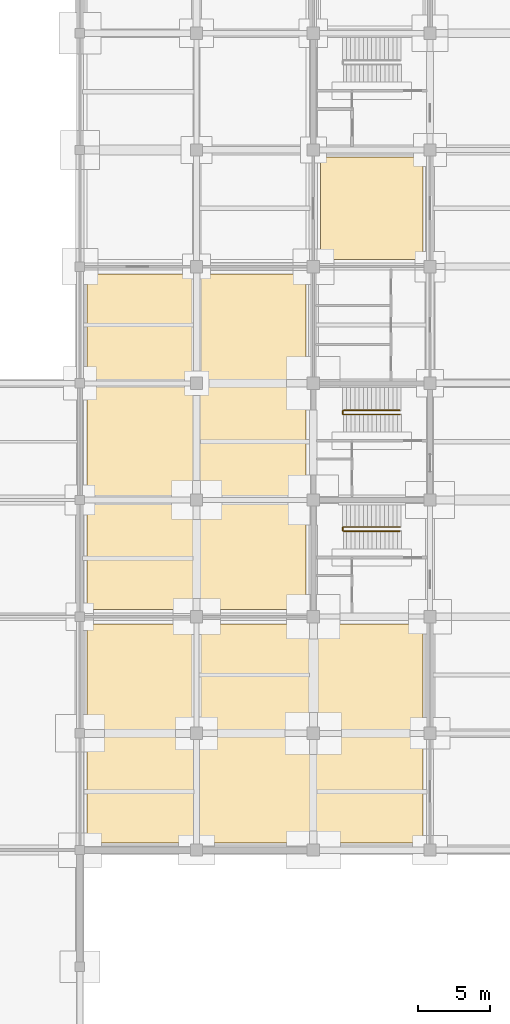
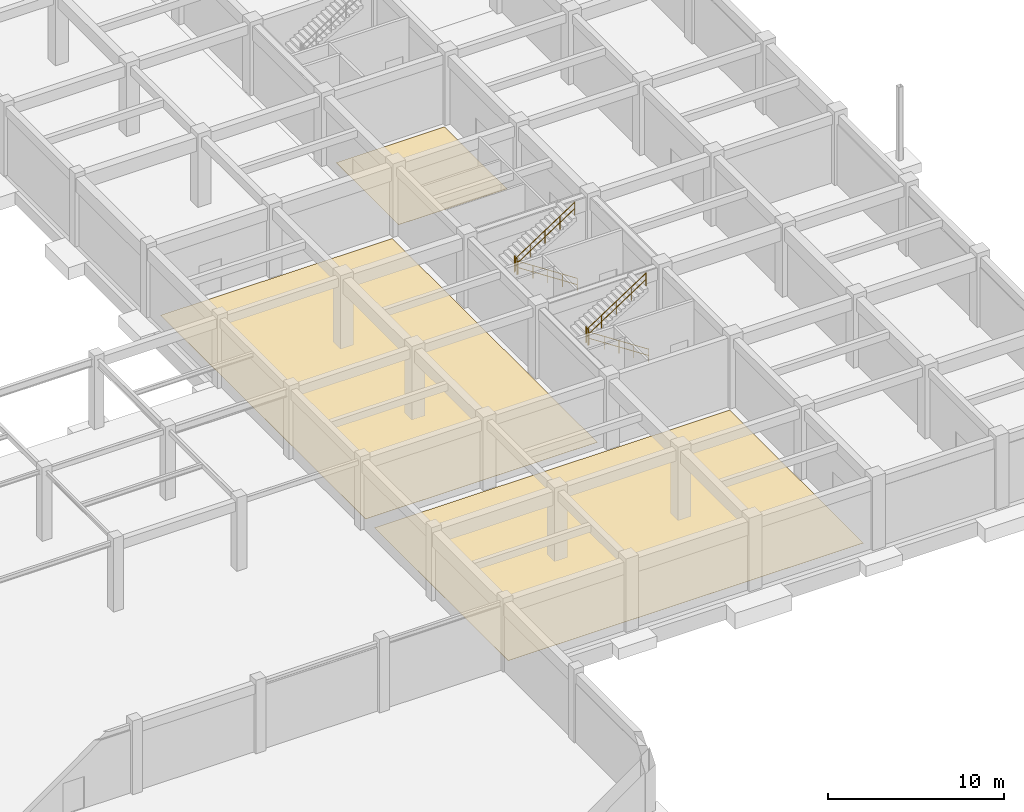
# One storey, part 64 of 67: 6 railings, 3 coverings.
"""IFC4 building model written with IfcOpenShell, lengths in metres."""

from ifc_helpers import new_model, si_unit, direction, frame, origin, origin_2d, place, context, subcontext, project, spatial, polyline, circle, outline, extrude, material, layer, layer_set, type_object, element, save


model = new_model("IFC4")

# Units and contexts
model_context = context("Model", 3, precision=1e-05, world=origin(), true_north=direction((0.0, 1.0)))
body_context = subcontext(model_context, "Body", "Model", "MODEL_VIEW")
ifc_project = project(units=[si_unit("LENGTHUNIT", "METRE"), si_unit("AREAUNIT", "SQUARE_METRE"), si_unit("VOLUMEUNIT", "CUBIC_METRE"), si_unit("PLANEANGLEUNIT", "RADIAN"), si_unit("MASSUNIT", "GRAM", prefix="KILO")], contexts=[model_context])

# Site, building, storey
site_placement = place(None, origin())
site = spatial("IfcSite", under=ifc_project, at=site_placement, CompositionType="ELEMENT")
building_placement = place(site_placement, origin())
building = spatial("IfcBuilding", under=site, at=building_placement, Name="Vaudrelin Polytechnic", CompositionType="ELEMENT")
storey_placement = place(building_placement, frame((0.0, 0.0, -5.10009765625)))
storey = spatial("IfcBuildingStorey", under=building, at=storey_placement, Name="B1", CompositionType="ELEMENT", Elevation=-5.10009765625)

# Coverings
ifc_material_1 = material(Name="Seamless chemical-resistant laboratory epoxy", Category="flooring")
ifc_layer = layer(ifc_material_1, 0.011962890625)
ifc_layer_set = layer_set([ifc_layer], Name="Seamless chemical-resistant laboratory epoxy")
covering_type = type_object("IfcCoveringType", Name="COV-FLR-EPX", PredefinedType="FLOORING", material=ifc_layer_set)
covering_1_placement = place(storey_placement, origin())
element("IfcCovering", 1, at=covering_1_placement, inside=storey, type_object=covering_type, Name="Chemical-resistant flooring B1-019", PredefinedType="FLOORING", context=body_context, shape_type="SweptSolid", body=[
    extrude(outline(polyline([(130.10009765625, 16.699951171875), (153.39990234375, 16.699951171875), (153.39990234375, 31.89990234375), (130.10009765625, 31.89990234375), (130.10009765625, 16.699951171875)])), origin(), (0.0, 0.0, 1.0), 0.01220703125),
])
covering_2_placement = place(storey_placement, origin())
element("IfcCovering", 2, at=covering_2_placement, inside=storey, type_object=covering_type, Name="Chemical-resistant flooring B1-020", PredefinedType="FLOORING", context=body_context, shape_type="SweptSolid", body=[
    extrude(outline(polyline([(130.10009765625, 32.89990234375), (145.300048828125, 32.89990234375), (145.300048828125, 56.199951171875), (130.10009765625, 56.199951171875), (130.10009765625, 32.89990234375)])), origin(), (0.0, 0.0, 1.0), 0.01220703125),
])
covering_3_placement = place(storey_placement, origin())
element("IfcCovering", 3, at=covering_3_placement, inside=storey, type_object=covering_type, Name="Chemical-resistant flooring B1-037", PredefinedType="FLOORING", context=body_context, shape_type="SweptSolid", body=[
    extrude(outline(polyline([(146.300048828125, 57.199951171875), (153.39990234375, 57.199951171875), (153.39990234375, 64.300048828125), (146.300048828125, 64.300048828125), (146.300048828125, 57.199951171875)])), origin(), (0.0, 0.0, 1.0), 0.01220703125),
])

# Railings
ifc_material_2 = material(Name="Brushed stainless steel AISI 304", Category="steel")
railing_type_1 = type_object("IfcRailingType", Name="RAL-GR-INT", PredefinedType="GUARDRAIL", material=ifc_material_2)
for number, where, name in (
    (4, (147.85009765625, 38.340087890625, 2.550048828125), "ST-08-B1 landing well guardrail"),
    (5, (147.85009765625, 46.43994140625, 2.550048828125), "ST-12-B1 landing well guardrail"),
):
    element("IfcRailing", number, at=place(storey_placement, frame(where)), inside=storey, type_object=railing_type_1, Name=name, PredefinedType="GUARDRAIL", context=body_context, shape_type="SweptSolid", body=[
        extrude(circle(Radius=0.02392578125, at=origin_2d()), frame((0.0, 0.023193359375, 1.09619140625), z_axis=(0.0, 1.0, 0.0), x_axis=(-1.0, 0.0, 0.0)), (0.0, 0.0, 1.0), 0.23388671875),
        extrude(circle(Radius=0.02392578125, at=origin_2d()), frame((0.0, 0.023193359375, 0.56005859375), z_axis=(0.0, 1.0, 0.0), x_axis=(-1.0, 0.0, 0.0)), (0.0, 0.0, 1.0), 0.23388671875),
        extrude(circle(Radius=0.02099609375, at=origin_2d()), origin(), (0.0, 0.0, 1.0), 1.1201171875),
        extrude(circle(Radius=0.02099609375, at=origin_2d()), frame((0.0, 0.280029296875, 0.0)), (0.0, 0.0, 1.0), 1.1201171875),
    ])
railing_type_2 = type_object("IfcRailingType", Name="RAL-HR-STR", PredefinedType="HANDRAIL", material=ifc_material_2)
railing_1_placement = place(storey_placement, frame((151.800048828125, 38.330078125, 0.0)))
element("IfcRailing", 6, at=railing_1_placement, inside=storey, type_object=railing_type_2, Name="ST-08-B1 flight 1 handrail", PredefinedType="HANDRAIL", context=body_context, shape_type="SweptSolid", body=[
    extrude(circle(Radius=0.02392578125, at=origin_2d()), frame((-0.019287109375, 0.0, 0.908447265625), z_axis=(-0.836329188974, 0.0, 0.548227587476), x_axis=(0.0, -1.0, 0.0)), (0.0, 0.0, 1.0), 4.605224609375),
    extrude(circle(Radius=0.02392578125, at=origin_2d()), frame((-0.019287109375, 0.0, 0.47265625), z_axis=(-0.836329188974, 0.0, 0.548227587476), x_axis=(0.0, -1.0, 0.0)), (0.0, 0.0, 1.0), 4.605224609375),
    extrude(circle(Radius=0.02099609375, at=origin_2d()), origin(), (0.0, 0.0, 1.0), 0.919921875),
    extrude(circle(Radius=0.02099609375, at=origin_2d()), frame((-0.97265625, 0.0, 0.637451171875)), (0.0, 0.0, 1.0), 0.919921875),
    extrude(circle(Radius=0.02099609375, at=origin_2d()), frame((-1.945068359375, 0.0, 1.27490234375)), (0.0, 0.0, 1.0), 0.919921875),
    extrude(circle(Radius=0.02099609375, at=origin_2d()), frame((-2.91748046875, 0.0, 1.91259765625)), (0.0, 0.0, 1.0), 0.919921875),
    extrude(circle(Radius=0.02099609375, at=origin_2d()), frame((-3.89013671875, 0.0, 2.550048828125)), (0.0, 0.0, 1.0), 0.919921875),
])
railing_2_placement = place(storey_placement, frame((147.909912109375, 38.6298828125, 2.550048828125)))
element("IfcRailing", 7, at=railing_2_placement, inside=storey, type_object=railing_type_2, Name="ST-08-B1 flight 2 handrail", PredefinedType="HANDRAIL", context=body_context, shape_type="SweptSolid", body=[
    extrude(circle(Radius=0.02392578125, at=origin_2d()), frame((0.019287109375, 0.0, 0.908447265625), z_axis=(0.836329188974, 0.0, 0.548227587476), x_axis=(0.0, 1.0, 0.0)), (0.0, 0.0, 1.0), 4.605224609375),
    extrude(circle(Radius=0.02392578125, at=origin_2d()), frame((0.019287109375, 0.0, 0.47265625), z_axis=(0.836329188974, 0.0, 0.548227587476), x_axis=(0.0, 1.0, 0.0)), (0.0, 0.0, 1.0), 4.605224609375),
    extrude(circle(Radius=0.02099609375, at=origin_2d()), origin(), (0.0, 0.0, 1.0), 0.919921875),
    extrude(circle(Radius=0.02099609375, at=origin_2d()), frame((0.97265625, 0.0, 0.637451171875)), (0.0, 0.0, 1.0), 0.919921875),
    extrude(circle(Radius=0.02099609375, at=origin_2d()), frame((1.945068359375, 0.0, 1.27490234375)), (0.0, 0.0, 1.0), 0.919921875),
    extrude(circle(Radius=0.02099609375, at=origin_2d()), frame((2.91748046875, 0.0, 1.91259765625)), (0.0, 0.0, 1.0), 0.919921875),
    extrude(circle(Radius=0.02099609375, at=origin_2d()), frame((3.89013671875, 0.0, 2.550048828125)), (0.0, 0.0, 1.0), 0.919921875),
])
railing_3_placement = place(storey_placement, frame((151.800048828125, 46.429931640625, 0.0)))
element("IfcRailing", 8, at=railing_3_placement, inside=storey, type_object=railing_type_2, Name="ST-12-B1 flight 1 handrail", PredefinedType="HANDRAIL", context=body_context, shape_type="SweptSolid", body=[
    extrude(circle(Radius=0.02392578125, at=origin_2d()), frame((-0.019287109375, 0.0, 0.908447265625), z_axis=(-0.836329188974, 0.0, 0.548227587476), x_axis=(0.0, -1.0, 0.0)), (0.0, 0.0, 1.0), 4.605224609375),
    extrude(circle(Radius=0.02392578125, at=origin_2d()), frame((-0.019287109375, 0.0, 0.47265625), z_axis=(-0.836329188974, 0.0, 0.548227587476), x_axis=(0.0, -1.0, 0.0)), (0.0, 0.0, 1.0), 4.605224609375),
    extrude(circle(Radius=0.02099609375, at=origin_2d()), origin(), (0.0, 0.0, 1.0), 0.919921875),
    extrude(circle(Radius=0.02099609375, at=origin_2d()), frame((-0.97265625, 0.0, 0.637451171875)), (0.0, 0.0, 1.0), 0.919921875),
    extrude(circle(Radius=0.02099609375, at=origin_2d()), frame((-1.945068359375, 0.0, 1.27490234375)), (0.0, 0.0, 1.0), 0.919921875),
    extrude(circle(Radius=0.02099609375, at=origin_2d()), frame((-2.91748046875, 0.0, 1.91259765625)), (0.0, 0.0, 1.0), 0.919921875),
    extrude(circle(Radius=0.02099609375, at=origin_2d()), frame((-3.89013671875, 0.0, 2.550048828125)), (0.0, 0.0, 1.0), 0.919921875),
])
railing_4_placement = place(storey_placement, frame((147.909912109375, 46.72998046875, 2.550048828125)))
element("IfcRailing", 9, at=railing_4_placement, inside=storey, type_object=railing_type_2, Name="ST-12-B1 flight 2 handrail", PredefinedType="HANDRAIL", context=body_context, shape_type="SweptSolid", body=[
    extrude(circle(Radius=0.02392578125, at=origin_2d()), frame((0.019287109375, 0.0, 0.908447265625), z_axis=(0.836329188974, 0.0, 0.548227587476), x_axis=(0.0, 1.0, 0.0)), (0.0, 0.0, 1.0), 4.605224609375),
    extrude(circle(Radius=0.02392578125, at=origin_2d()), frame((0.019287109375, 0.0, 0.47265625), z_axis=(0.836329188974, 0.0, 0.548227587476), x_axis=(0.0, 1.0, 0.0)), (0.0, 0.0, 1.0), 4.605224609375),
    extrude(circle(Radius=0.02099609375, at=origin_2d()), origin(), (0.0, 0.0, 1.0), 0.919921875),
    extrude(circle(Radius=0.02099609375, at=origin_2d()), frame((0.97265625, 0.0, 0.637451171875)), (0.0, 0.0, 1.0), 0.919921875),
    extrude(circle(Radius=0.02099609375, at=origin_2d()), frame((1.945068359375, 0.0, 1.27490234375)), (0.0, 0.0, 1.0), 0.919921875),
    extrude(circle(Radius=0.02099609375, at=origin_2d()), frame((2.91748046875, 0.0, 1.91259765625)), (0.0, 0.0, 1.0), 0.919921875),
    extrude(circle(Radius=0.02099609375, at=origin_2d()), frame((3.89013671875, 0.0, 2.550048828125)), (0.0, 0.0, 1.0), 0.919921875),
])

save(model, "model.ifc")
